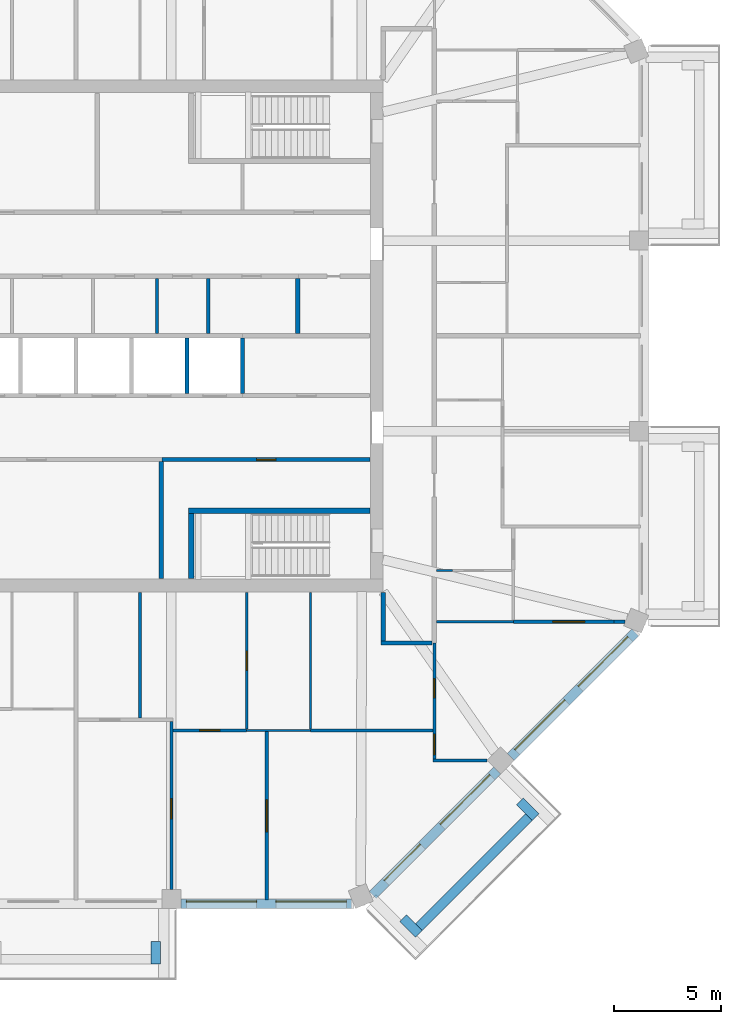
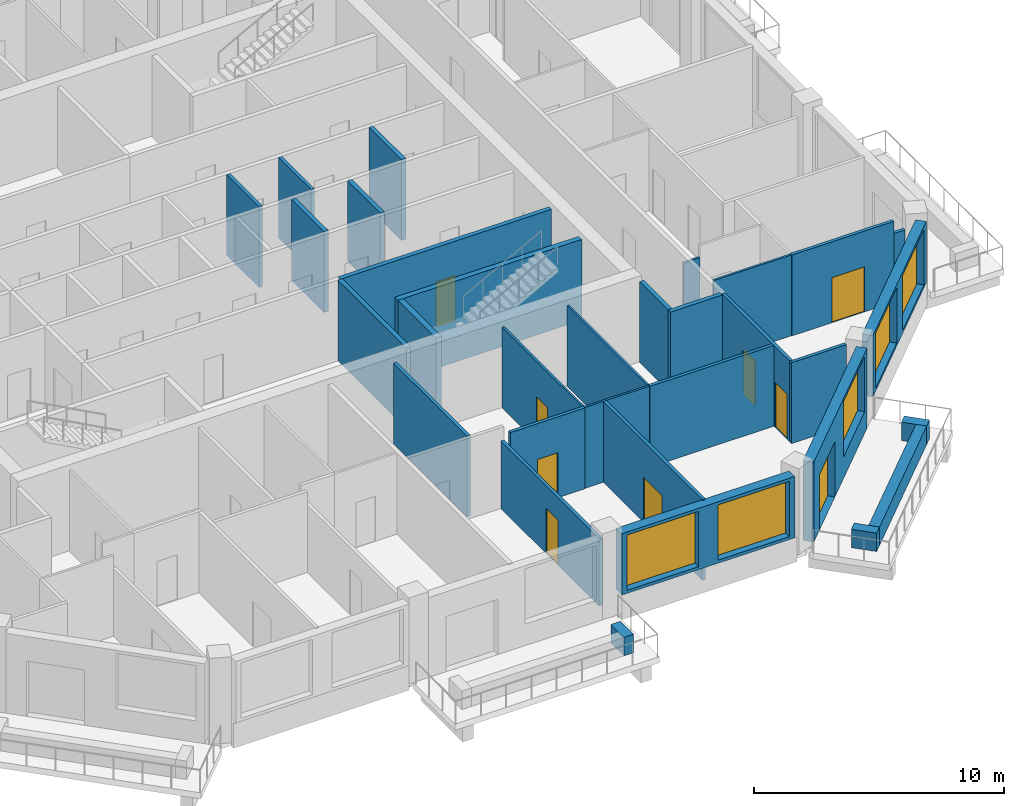
# One storey, part 5 of 12: 32 walls, 9 doors, 5 windows, 14 openings.
"""IFC4 building model written with IfcOpenShell, lengths in metres."""

from ifc_helpers import new_model, si_unit, direction, frame, frame_2d, origin, place, context, subcontext, project, spatial, rectangle, extrude, material, layer, layer_set, type_object, element, fill, save


model = new_model("IFC4")

# Units and contexts
model_context = context("Model", 3, precision=1e-05, world=origin(), true_north=direction((0.0, 1.0)))
body_context = subcontext(model_context, "Body", "Model", "MODEL_VIEW")
ifc_project = project(units=[si_unit("LENGTHUNIT", "METRE"), si_unit("AREAUNIT", "SQUARE_METRE"), si_unit("VOLUMEUNIT", "CUBIC_METRE"), si_unit("PLANEANGLEUNIT", "RADIAN"), si_unit("MASSUNIT", "GRAM", prefix="KILO")], contexts=[model_context])

# Site, building, storey
site_placement = place(None, origin())
site = spatial("IfcSite", under=ifc_project, at=site_placement, CompositionType="ELEMENT")
building_placement = place(site_placement, origin())
building = spatial("IfcBuilding", under=site, at=building_placement, Name="Msitu Wima Residences", CompositionType="ELEMENT")
storey_placement = place(building_placement, frame((0.0, 0.0, 276.89990234375)))
storey = spatial("IfcBuildingStorey", under=building, at=storey_placement, Name="L64", CompositionType="ELEMENT", Elevation=276.89990234375)

# Walls
ifc_material_1 = material(Name="Facing brick")
ifc_layer_1 = layer(ifc_material_1, 0.06494140625, Name="Facing brick")
ifc_material_2 = material(Name="Concrete C40/50", Category="concrete")
ifc_layer_2 = layer(ifc_material_2, 0.156005859375, Name="Concrete C40/50")
ifc_material_3 = material(Name="Waterproofing membrane")
ifc_layer_3 = layer(ifc_material_3, 0.00390625, Name="Waterproofing membrane")
ifc_material_4 = material(Name="Planting soil and planting")
ifc_layer_4 = layer(ifc_material_4, 0.22509765625, Name="Planting soil and planting")
ifc_layer_set_1 = layer_set([ifc_layer_1, ifc_layer_2, ifc_layer_3, ifc_layer_4], Name="Concrete C40/50")
wall_type_1 = type_object("IfcWallType", Name="Balcony planter PLANTER PL450", PredefinedType="USERDEFINED", material=ifc_layer_set_1)
wall_1_placement = place(storey_placement, frame((3.74365234375, -28.39990234375, 0.0), z_axis=(0.0, 0.0, 1.0), x_axis=(0.0, -1.0, 0.0)))
element("IfcWall", 1, at=wall_1_placement, inside=storey, type_object=wall_type_1, Name="Balcony planter S1 L64", ObjectType="PLANTER", PredefinedType="USERDEFINED", context=body_context, shape_type="SweptSolid", body=[
    extrude(rectangle(XDim=1.050048828125, YDim=0.449951171875, at=frame_2d((0.52490234375, 0.0))), origin(), (0.0, 0.0, 1.0), 0.900146484375),
])
wall_2_placement = place(storey_placement, frame((16.0751953125, -27.725830078125, 0.0), z_axis=(0.0, 0.0, 1.0), x_axis=(0.707106781187, 0.707106781187, 0.0)))
element("IfcWall", 2, at=wall_2_placement, inside=storey, type_object=wall_type_1, Name="Balcony planter SE0 L64", ObjectType="PLANTER", PredefinedType="USERDEFINED", context=body_context, shape_type="SweptSolid", body=[
    extrude(rectangle(XDim=7.288330078125, YDim=0.449951171875, at=frame_2d((3.64404296875, 0.0))), origin(), (0.0, 0.0, 1.0), 0.900146484375),
])
for number, where, z_axis, x_axis, name in (
    (3, (15.332763671875, -27.301513671875, 0.0), (0.0, 0.0, 1.0), (0.707106781187, -0.707106781187, 0.0), "Balcony planter SE0 L64"),
    (4, (20.804443359375, -21.829833984375, 0.0), (0.0, 0.0, 1.0), (0.707106781187, -0.707106781187, 0.0), "Balcony planter SE0 L64"),
):
    element("IfcWall", number, at=place(storey_placement, frame(where, z_axis=z_axis, x_axis=x_axis)), inside=storey, type_object=wall_type_1, Name=name, ObjectType="PLANTER", PredefinedType="USERDEFINED", context=body_context, shape_type="SweptSolid", body=[
        extrude(rectangle(XDim=1.050048828125, YDim=0.449951171875, at=frame_2d((0.52490234375, 0.0))), origin(), (0.0, 0.0, 1.0), 0.900146484375),
    ])

# Wall, openings, windows
ifc_material_5 = material(Name="Brick (red buff mix)", Category="masonry")
ifc_layer_5 = layer(ifc_material_5, 0.449951171875)
ifc_layer_set_2 = layer_set([ifc_layer_5], Name="Brick (red buff mix)")
wall_type_2 = type_object("IfcWallType", Name="Brick infill wall BW450", PredefinedType="SOLIDWALL", material=ifc_layer_set_2)
wall_3_placement = place(storey_placement, frame((4.918701171875, -26.625, 0.900146484375), z_axis=(0.0, 0.0, 1.0), x_axis=(1.0, 0.0, 0.0)))
wall_3 = element("IfcWall", 5, at=wall_3_placement, inside=storey, type_object=wall_type_2, Name="Brick infill wall L64 S2", PredefinedType="SOLIDWALL", context=body_context, shape_type="SweptSolid", body=[
    extrude(rectangle(XDim=8.0, YDim=0.449951171875, at=frame_2d((4.0, 0.0))), origin(), (0.0, 0.0, 1.0), 3.0),
])
opening_1_placement = place(wall_3_placement, frame((0.25, 0.0, 0.14990234375)))
opening_1 = element("IfcOpeningElement", 6, at=opening_1_placement, cuts=wall_3, Name="Opening W63-64.019", PredefinedType="OPENING", context=body_context, shape_type="SweptSolid", body=[
    extrude(rectangle(XDim=3.300048828125, YDim=2.699951171875, at=frame_2d((1.64990234375, 1.35009765625))), frame((0.0, 0.23486328125, 0.0), z_axis=(0.0, -1.0, 0.0), x_axis=(1.0, 0.0, 0.0)), (0.0, 0.0, 1.0), 0.469970703125),
])
opening_2_placement = place(wall_3_placement, frame((4.4501953125, 0.0, 0.14990234375)))
opening_2 = element("IfcOpeningElement", 7, at=opening_2_placement, cuts=wall_3, Name="Opening W63-64.020", PredefinedType="OPENING", context=body_context, shape_type="SweptSolid", body=[
    extrude(rectangle(XDim=3.300048828125, YDim=2.699951171875, at=frame_2d((1.64990234375, 1.35009765625))), frame((0.0, 0.23486328125, 0.0), z_axis=(0.0, -1.0, 0.0), x_axis=(1.0, 0.0, 0.0)), (0.0, 0.0, 1.0), 0.469970703125),
])
ifc_material_6 = material(Name="Anodised aluminium, bronze finish, clear low-emissivity double glazing", Category="aluminium")
window_type = type_object("IfcWindowType", Name="Window W3300x2700", PartitioningType="DOUBLE_PANEL_VERTICAL", PredefinedType="WINDOW", material=ifc_material_6)
window_1_placement = place(opening_1_placement, origin())
window_1 = element("IfcWindow", 8, at=window_1_placement, inside=storey, type_object=window_type, Name="Window L64 S2.1", OverallHeight=2.699951171875, OverallWidth=3.300048828125, PartitioningType="SINGLE_PANEL", PredefinedType="WINDOW", context=body_context, shape_type="SweptSolid", body=[
    extrude(rectangle(XDim=3.300048828125, YDim=2.699951171875, at=frame_2d((1.64990234375, 1.35009765625))), frame((0.0, 0.135009765625, 0.0), z_axis=(0.0, -1.0, 0.0), x_axis=(1.0, 0.0, 0.0)), (0.0, 0.0, 1.0), 0.06005859375),
])
fill(opening_1, window_1)
window_2_placement = place(opening_2_placement, origin())
window_2 = element("IfcWindow", 9, at=window_2_placement, inside=storey, type_object=window_type, Name="Window L64 S2.2", OverallHeight=2.699951171875, OverallWidth=3.300048828125, PartitioningType="SINGLE_PANEL", PredefinedType="WINDOW", context=body_context, shape_type="SweptSolid", body=[
    extrude(rectangle(XDim=3.300048828125, YDim=2.699951171875, at=frame_2d((1.64990234375, 1.35009765625))), frame((0.0, 0.135009765625, 0.0), z_axis=(0.0, -1.0, 0.0), x_axis=(1.0, 0.0, 0.0)), (0.0, 0.0, 1.0), 0.06005859375),
])
fill(opening_2, window_2)

# Wall, openings, door, window
wall_4_placement = place(storey_placement, frame((13.909423828125, -26.214599609375, 0.0), z_axis=(0.0, 0.0, 1.0), x_axis=(0.707106781187, 0.707106781187, 0.0)))
wall_4 = element("IfcWall", 10, at=wall_4_placement, inside=storey, type_object=wall_type_2, Name="Brick infill wall L64 SE0", PredefinedType="SOLIDWALL", context=body_context, shape_type="SweptSolid", body=[
    extrude(rectangle(XDim=8.251220703125, YDim=0.449951171875, at=frame_2d((4.12548828125, 0.0))), origin(), (0.0, 0.0, 1.0), 3.900146484375),
])
opening_3_placement = place(wall_4_placement, frame((0.86279296875, 0.0, 0.0)))
opening_3 = element("IfcOpeningElement", 11, at=opening_3_placement, cuts=wall_4, Name="Opening D63-64.007", PredefinedType="OPENING", context=body_context, shape_type="SweptSolid", body=[
    extrude(rectangle(XDim=2.39990234375, YDim=2.699951171875, at=frame_2d((1.199951171875, 1.35009765625))), frame((0.0, 0.23486328125, 0.0), z_axis=(0.0, -1.0, 0.0), x_axis=(1.0, 0.0, 0.0)), (0.0, 0.0, 1.0), 0.469970703125),
])
opening_4_placement = place(wall_4_placement, frame((4.57568359375, 0.0, 1.050048828125)))
opening_4 = element("IfcOpeningElement", 12, at=opening_4_placement, cuts=wall_4, Name="Opening W63-64.021", PredefinedType="OPENING", context=body_context, shape_type="SweptSolid", body=[
    extrude(rectangle(XDim=3.300048828125, YDim=2.699951171875, at=frame_2d((1.64990234375, 1.35009765625))), frame((0.0, 0.23486328125, 0.0), z_axis=(0.0, -1.0, 0.0), x_axis=(1.0, 0.0, 0.0)), (0.0, 0.0, 1.0), 0.469970703125),
])
door_type_1 = type_object("IfcDoorType", Name="Balcony door D2400x2700", OperationType="SLIDING_TO_LEFT", PredefinedType="DOOR", material=ifc_material_6)
door_1_placement = place(opening_3_placement, origin())
door_1 = element("IfcDoor", 13, at=door_1_placement, inside=storey, type_object=door_type_1, Name="Balcony door L64 SE0", OperationType="SINGLE_SWING_LEFT", OverallHeight=2.699951171875, OverallWidth=2.39990234375, PredefinedType="DOOR", context=body_context, shape_type="SweptSolid", body=[
    extrude(rectangle(XDim=2.39990234375, YDim=2.699951171875, at=frame_2d((1.199951171875, 1.35009765625))), frame((0.0, 0.1298828125, 0.0), z_axis=(0.0, -1.0, 0.0), x_axis=(1.0, 0.0, 0.0)), (0.0, 0.0, 1.0), 0.050048828125),
])
fill(opening_3, door_1)
window_3_placement = place(opening_4_placement, origin())
window_3 = element("IfcWindow", 14, at=window_3_placement, inside=storey, type_object=window_type, Name="Window L64 SE0.2", OverallHeight=2.699951171875, OverallWidth=3.300048828125, PartitioningType="SINGLE_PANEL", PredefinedType="WINDOW", context=body_context, shape_type="SweptSolid", body=[
    extrude(rectangle(XDim=3.300048828125, YDim=2.699951171875, at=frame_2d((1.64990234375, 1.35009765625))), frame((0.0, 0.135009765625, 0.0), z_axis=(0.0, -1.0, 0.0), x_axis=(1.0, 0.0, 0.0)), (0.0, 0.0, 1.0), 0.06005859375),
])
fill(opening_4, window_3)

# Wall, openings, windows
wall_5_placement = place(storey_placement, frame((20.380126953125, -19.743896484375, 0.900146484375), z_axis=(0.0, 0.0, 1.0), x_axis=(0.707106781187, 0.707106781187, 0.0)))
wall_5 = element("IfcWall", 15, at=wall_5_placement, inside=storey, type_object=wall_type_2, Name="Brick infill wall L64 SE1", PredefinedType="SOLIDWALL", context=body_context, shape_type="SweptSolid", body=[
    extrude(rectangle(XDim=8.251220703125, YDim=0.449951171875, at=frame_2d((4.12548828125, 0.0))), origin(), (0.0, 0.0, 1.0), 3.0),
])
opening_5_placement = place(wall_5_placement, frame((0.37548828125, 0.0, 0.14990234375)))
opening_5 = element("IfcOpeningElement", 16, at=opening_5_placement, cuts=wall_5, Name="Opening W63-64.022", PredefinedType="OPENING", context=body_context, shape_type="SweptSolid", body=[
    extrude(rectangle(XDim=3.300048828125, YDim=2.699951171875, at=frame_2d((1.64990234375, 1.35009765625))), frame((0.0, 0.23486328125, 0.0), z_axis=(0.0, -1.0, 0.0), x_axis=(1.0, 0.0, 0.0)), (0.0, 0.0, 1.0), 0.469970703125),
])
opening_6_placement = place(wall_5_placement, frame((4.57568359375, 0.0, 0.14990234375)))
opening_6 = element("IfcOpeningElement", 17, at=opening_6_placement, cuts=wall_5, Name="Opening W63-64.023", PredefinedType="OPENING", context=body_context, shape_type="SweptSolid", body=[
    extrude(rectangle(XDim=3.300048828125, YDim=2.699951171875, at=frame_2d((1.64990234375, 1.35009765625))), frame((0.0, 0.23486328125, 0.0), z_axis=(0.0, -1.0, 0.0), x_axis=(1.0, 0.0, 0.0)), (0.0, 0.0, 1.0), 0.469970703125),
])
window_4_placement = place(opening_5_placement, origin())
window_4 = element("IfcWindow", 18, at=window_4_placement, inside=storey, type_object=window_type, Name="Window L64 SE1.1", OverallHeight=2.699951171875, OverallWidth=3.300048828125, PartitioningType="SINGLE_PANEL", PredefinedType="WINDOW", context=body_context, shape_type="SweptSolid", body=[
    extrude(rectangle(XDim=3.300048828125, YDim=2.699951171875, at=frame_2d((1.64990234375, 1.35009765625))), frame((0.0, 0.135009765625, 0.0), z_axis=(0.0, -1.0, 0.0), x_axis=(1.0, 0.0, 0.0)), (0.0, 0.0, 1.0), 0.06005859375),
])
fill(opening_5, window_4)
window_5_placement = place(opening_6_placement, origin())
window_5 = element("IfcWindow", 19, at=window_5_placement, inside=storey, type_object=window_type, Name="Window L64 SE1.2", OverallHeight=2.699951171875, OverallWidth=3.300048828125, PartitioningType="SINGLE_PANEL", PredefinedType="WINDOW", context=body_context, shape_type="SweptSolid", body=[
    extrude(rectangle(XDim=3.300048828125, YDim=2.699951171875, at=frame_2d((1.64990234375, 1.35009765625))), frame((0.0, 0.135009765625, 0.0), z_axis=(0.0, -1.0, 0.0), x_axis=(1.0, 0.0, 0.0)), (0.0, 0.0, 1.0), 0.06005859375),
])
fill(opening_6, window_5)

# Wall, opening, door
ifc_material_7 = material(Name="Plaster")
ifc_layer_6 = layer(ifc_material_7, 0.011962890625, Name="Plaster")
ifc_material_8 = material(Name="Concrete blockwork", Category="masonry")
ifc_layer_7 = layer(ifc_material_8, 0.176025390625, Name="Concrete blockwork")
ifc_layer_8 = layer(ifc_material_7, 0.011962890625, Name="Plaster")
ifc_layer_set_3 = layer_set([ifc_layer_6, ifc_layer_7, ifc_layer_8], Name="Concrete blockwork")
wall_type_3 = type_object("IfcWallType", Name="Corridor wall FW200", PredefinedType="PARTITIONING", material=ifc_layer_set_3)
wall_6_placement = place(storey_placement, frame((4.02001953125, -5.800048828125, 0.0), z_axis=(0.0, 0.0, 1.0), x_axis=(1.0, 0.0, 0.0)))
wall_6 = element("IfcWall", 20, at=wall_6_placement, inside=storey, type_object=wall_type_3, Name="Corridor wall", PredefinedType="PARTITIONING", context=body_context, shape_type="SweptSolid", body=[
    extrude(rectangle(XDim=9.75, YDim=0.199951171875, at=frame_2d((4.875, 0.0))), origin(), (0.0, 0.0, 1.0), 3.9501953125),
])
opening_7_placement = place(wall_6_placement, frame((4.449951171875, 0.0, 0.0)))
opening_7 = element("IfcOpeningElement", 21, at=opening_7_placement, cuts=wall_6, Name="Opening D63-64.076", PredefinedType="OPENING", context=body_context, shape_type="SweptSolid", body=[
    extrude(rectangle(XDim=0.89990234375, YDim=2.199951171875, at=frame_2d((0.449951171875, 1.10009765625))), frame((0.0, 0.10986328125, 0.0), z_axis=(0.0, -1.0, 0.0), x_axis=(1.0, 0.0, 0.0)), (0.0, 0.0, 1.0), 0.219970703125),
])
ifc_material_9 = material(Name="Timber flush door", Category="wood")
door_type_2 = type_object("IfcDoorType", Name="Service door D05 900x2200", OperationType="SINGLE_SWING_LEFT", PredefinedType="DOOR", material=ifc_material_9)
door_2_placement = place(opening_7_placement, origin())
door_2 = element("IfcDoor", 22, at=door_2_placement, inside=storey, type_object=door_type_2, Name="Service door", OperationType="SINGLE_SWING_LEFT", OverallHeight=2.199951171875, OverallWidth=0.89990234375, PredefinedType="DOOR", context=body_context, shape_type="SweptSolid", body=[
    extrude(rectangle(XDim=0.89990234375, YDim=2.199951171875, at=frame_2d((0.449951171875, 1.10009765625))), frame((0.0, 0.02490234375, 0.0), z_axis=(0.0, -1.0, 0.0), x_axis=(1.0, 0.0, 0.0)), (0.0, 0.0, 1.0), 0.050048828125),
])
fill(opening_7, door_2)

# Walls
wall_7_placement = place(storey_placement, frame((14.39990234375, -14.300048828125, 0.0), z_axis=(0.0, 0.0, 1.0), x_axis=(0.0, 1.0, 0.0)))
element("IfcWall", 23, at=wall_7_placement, inside=storey, type_object=wall_type_3, Name="Corridor wall", PredefinedType="PARTITIONING", context=body_context, shape_type="SweptSolid", body=[
    extrude(rectangle(XDim=2.27001953125, YDim=0.199951171875, at=frame_2d((1.135009765625, 0.0))), origin(), (0.0, 0.0, 1.0), 3.9501953125),
])
wall_8_placement = place(storey_placement, frame((14.300048828125, -14.39990234375, 0.0), z_axis=(0.0, 0.0, 1.0), x_axis=(1.0, 0.0, 0.0)))
element("IfcWall", 24, at=wall_8_placement, inside=storey, type_object=wall_type_3, Name="Corridor wall", PredefinedType="PARTITIONING", context=body_context, shape_type="SweptSolid", body=[
    extrude(rectangle(XDim=2.39990234375, YDim=0.199951171875, at=frame_2d((1.199951171875, 0.0))), origin(), (0.0, 0.0, 1.0), 3.9501953125),
])
ifc_layer_9 = layer(ifc_material_7, 0.011962890625, Name="Plaster")
ifc_layer_10 = layer(ifc_material_8, 0.1259765625, Name="Concrete blockwork")
ifc_layer_11 = layer(ifc_material_7, 0.011962890625, Name="Plaster")
ifc_layer_set_4 = layer_set([ifc_layer_9, ifc_layer_10, ifc_layer_11], Name="Concrete blockwork")
wall_type_4 = type_object("IfcWallType", Name="Partition PW150", PredefinedType="PARTITIONING", material=ifc_layer_set_4)
wall_9_placement = place(storey_placement, frame((3.0, -17.925048828125, 0.0), z_axis=(0.0, 0.0, 1.0), x_axis=(0.0, 1.0, 0.0)))
element("IfcWall", 25, at=wall_9_placement, inside=storey, type_object=wall_type_4, Name="Partition", PredefinedType="PARTITIONING", context=body_context, shape_type="SweptSolid", body=[
    extrude(rectangle(XDim=5.89501953125, YDim=0.14990234375, at=frame_2d((2.947509765625, 0.0))), origin(), (0.0, 0.0, 1.0), 3.9501953125),
])
wall_10_placement = place(storey_placement, frame((3.800048828125, 0.10009765625, 0.0), z_axis=(0.0, 0.0, 1.0), x_axis=(0.0, 1.0, 0.0)))
element("IfcWall", 26, at=wall_10_placement, inside=storey, type_object=wall_type_4, Name="Partition", PredefinedType="PARTITIONING", context=body_context, shape_type="SweptSolid", body=[
    extrude(rectangle(XDim=2.599853515625, YDim=0.14990234375, at=frame_2d((1.2998046875, 0.0))), origin(), (0.0, 0.0, 1.0), 3.9501953125),
])

# Wall, opening, door
wall_11_placement = place(storey_placement, frame((4.46875, -25.949951171875, 0.0), z_axis=(0.0, 0.0, 1.0), x_axis=(0.0, 1.0, 0.0)))
wall_11 = element("IfcWall", 27, at=wall_11_placement, inside=storey, type_object=wall_type_4, Name="Partition", PredefinedType="PARTITIONING", context=body_context, shape_type="SweptSolid", body=[
    extrude(rectangle(XDim=7.875, YDim=0.14990234375, at=frame_2d((3.9375, 0.0))), origin(), (0.0, 0.0, 1.0), 3.300048828125),
])
opening_8_placement = place(wall_11_placement, frame((3.300048828125, 0.0, 0.0)))
opening_8 = element("IfcOpeningElement", 28, at=opening_8_placement, cuts=wall_11, Name="Opening D63-64.057", PredefinedType="OPENING", context=body_context, shape_type="SweptSolid", body=[
    extrude(rectangle(XDim=0.949951171875, YDim=2.199951171875, at=frame_2d((0.47509765625, 1.10009765625))), frame((0.0, 0.0849609375, 0.0), z_axis=(0.0, -1.0, 0.0), x_axis=(1.0, 0.0, 0.0)), (0.0, 0.0, 1.0), 0.169921875),
])
door_type_3 = type_object("IfcDoorType", Name="Room door D12 950x2200", OperationType="SINGLE_SWING_LEFT", PredefinedType="DOOR", material=ifc_material_9)
door_3_placement = place(opening_8_placement, origin())
door_3 = element("IfcDoor", 29, at=door_3_placement, inside=storey, type_object=door_type_3, Name="Room door", OperationType="SINGLE_SWING_LEFT", OverallHeight=2.199951171875, OverallWidth=0.949951171875, PredefinedType="DOOR", context=body_context, shape_type="SweptSolid", body=[
    extrude(rectangle(XDim=0.949951171875, YDim=2.199951171875, at=frame_2d((0.47509765625, 1.10009765625))), frame((0.0, 0.02490234375, 0.0), z_axis=(0.0, -1.0, 0.0), x_axis=(1.0, 0.0, 0.0)), (0.0, 0.0, 1.0), 0.050048828125),
])
fill(opening_8, door_3)

wall_12_placement = place(storey_placement, frame((4.543701171875, -18.5, 0.0), z_axis=(0.0, 0.0, 1.0), x_axis=(1.0, 0.0, 0.0)))
wall_12 = element("IfcWall", 30, at=wall_12_placement, inside=storey, type_object=wall_type_4, Name="Partition", PredefinedType="PARTITIONING", context=body_context, shape_type="SweptSolid", body=[
    extrude(rectangle(XDim=3.456298828125, YDim=0.14990234375, at=frame_2d((1.72802734375, 0.0))), origin(), (0.0, 0.0, 1.0), 3.9501953125),
])
opening_9_placement = place(wall_12_placement, frame((1.25, 0.0, 0.0)))
opening_9 = element("IfcOpeningElement", 31, at=opening_9_placement, cuts=wall_12, Name="Opening D63-64.055", PredefinedType="OPENING", context=body_context, shape_type="SweptSolid", body=[
    extrude(rectangle(XDim=0.949951171875, YDim=2.199951171875, at=frame_2d((0.47509765625, 1.10009765625))), frame((0.0, 0.0849609375, 0.0), z_axis=(0.0, -1.0, 0.0), x_axis=(1.0, 0.0, 0.0)), (0.0, 0.0, 1.0), 0.169921875),
])
door_4_placement = place(opening_9_placement, origin())
door_4 = element("IfcDoor", 32, at=door_4_placement, inside=storey, type_object=door_type_3, Name="Room door", OperationType="SINGLE_SWING_RIGHT", OverallHeight=2.199951171875, OverallWidth=0.949951171875, PredefinedType="DOOR", context=body_context, shape_type="SweptSolid", body=[
    extrude(rectangle(XDim=0.949951171875, YDim=2.199951171875, at=frame_2d((0.47509765625, 1.10009765625))), frame((0.0, 0.02490234375, 0.0), z_axis=(0.0, -1.0, 0.0), x_axis=(1.0, 0.0, 0.0)), (0.0, 0.0, 1.0), 0.050048828125),
])
fill(opening_9, door_4)

# Wall
wall_13_placement = place(storey_placement, frame((6.199951171875, 0.10009765625, 0.0), z_axis=(0.0, 0.0, 1.0), x_axis=(0.0, 1.0, 0.0)))
element("IfcWall", 33, at=wall_13_placement, inside=storey, type_object=wall_type_4, Name="Partition", PredefinedType="PARTITIONING", context=body_context, shape_type="SweptSolid", body=[
    extrude(rectangle(XDim=2.599853515625, YDim=0.14990234375, at=frame_2d((1.2998046875, 0.0))), origin(), (0.0, 0.0, 1.0), 3.9501953125),
])

# Wall, opening, door
wall_14_placement = place(storey_placement, frame((8.937255859375, -26.455078125, 0.0), z_axis=(0.0, 0.0, 1.0), x_axis=(0.0, 1.0, 0.0)))
wall_14 = element("IfcWall", 34, at=wall_14_placement, inside=storey, type_object=wall_type_4, Name="Partition", PredefinedType="PARTITIONING", context=body_context, shape_type="SweptSolid", body=[
    extrude(rectangle(XDim=7.905029296875, YDim=0.14990234375, at=frame_2d((3.95263671875, 0.0))), origin(), (0.0, 0.0, 1.0), 3.9501953125),
])
opening_10_placement = place(wall_14_placement, frame((3.199951171875, 0.0, 0.0)))
opening_10 = element("IfcOpeningElement", 35, at=opening_10_placement, cuts=wall_14, Name="Opening D63-64.066", PredefinedType="OPENING", context=body_context, shape_type="SweptSolid", body=[
    extrude(rectangle(XDim=1.5, YDim=2.199951171875, at=frame_2d((0.75, 1.10009765625))), frame((0.0, 0.0849609375, 0.0), z_axis=(0.0, -1.0, 0.0), x_axis=(1.0, 0.0, 0.0)), (0.0, 0.0, 1.0), 0.169921875),
])
ifc_material_10 = material(Name="Timber double door", Category="wood")
door_type_4 = type_object("IfcDoorType", Name="Double door D04 1500x2200", OperationType="DOUBLE_DOOR_SINGLE_SWING", PredefinedType="DOOR", material=ifc_material_10)
door_5_placement = place(opening_10_placement, origin())
door_5 = element("IfcDoor", 36, at=door_5_placement, inside=storey, type_object=door_type_4, Name="Double door", OperationType="DOUBLE_DOOR_SINGLE_SWING", OverallHeight=2.199951171875, OverallWidth=1.5, PredefinedType="DOOR", context=body_context, shape_type="SweptSolid", body=[
    extrude(rectangle(XDim=1.5, YDim=2.199951171875, at=frame_2d((0.75, 1.10009765625))), frame((0.0, 0.02490234375, 0.0), z_axis=(0.0, -1.0, 0.0), x_axis=(1.0, 0.0, 0.0)), (0.0, 0.0, 1.0), 0.050048828125),
])
fill(opening_10, door_5)

# Wall
wall_15_placement = place(storey_placement, frame((11.0, -18.5, 0.0), z_axis=(0.0, 0.0, 1.0), x_axis=(1.0, 0.0, 0.0)))
element("IfcWall", 37, at=wall_15_placement, inside=storey, type_object=wall_type_4, Name="Partition", PredefinedType="PARTITIONING", context=body_context, shape_type="SweptSolid", body=[
    extrude(rectangle(XDim=5.72509765625, YDim=0.14990234375, at=frame_2d((2.862548828125, 0.0))), origin(), (0.0, 0.0, 1.0), 3.9501953125),
])

# Wall, openings, doors
wall_16_placement = place(storey_placement, frame((16.800048828125, -19.827880859375, 0.0), z_axis=(0.0, 0.0, 1.0), x_axis=(0.0, 1.0, 0.0)))
wall_16 = element("IfcWall", 38, at=wall_16_placement, inside=storey, type_object=wall_type_4, Name="Partition", PredefinedType="PARTITIONING", context=body_context, shape_type="SweptSolid", body=[
    extrude(rectangle(XDim=5.427978515625, YDim=0.14990234375, at=frame_2d((2.7138671875, 0.0))), origin(), (0.0, 0.0, 1.0), 3.9501953125),
])
opening_11_placement = place(wall_16_placement, frame((2.85009765625, 0.0, 0.0)))
opening_11 = element("IfcOpeningElement", 39, at=opening_11_placement, cuts=wall_16, Name="Opening D63-64.064", PredefinedType="OPENING", context=body_context, shape_type="SweptSolid", body=[
    extrude(rectangle(XDim=0.89990234375, YDim=2.199951171875, at=frame_2d((0.449951171875, 1.10009765625))), frame((0.0, 0.0849609375, 0.0), z_axis=(0.0, -1.0, 0.0), x_axis=(1.0, 0.0, 0.0)), (0.0, 0.0, 1.0), 0.169921875),
])
opening_12_placement = place(wall_16_placement, frame((0.199951171875, 0.0, 0.0)))
opening_12 = element("IfcOpeningElement", 40, at=opening_12_placement, cuts=wall_16, Name="Opening D63-64.065", PredefinedType="OPENING", context=body_context, shape_type="SweptSolid", body=[
    extrude(rectangle(XDim=0.949951171875, YDim=2.199951171875, at=frame_2d((0.47509765625, 1.10009765625))), frame((0.0, 0.0849609375, 0.0), z_axis=(0.0, -1.0, 0.0), x_axis=(1.0, 0.0, 0.0)), (0.0, 0.0, 1.0), 0.169921875),
])
door_6_placement = place(opening_12_placement, origin())
door_6 = element("IfcDoor", 41, at=door_6_placement, inside=storey, type_object=door_type_3, Name="Room door", OperationType="SINGLE_SWING_RIGHT", OverallHeight=2.199951171875, OverallWidth=0.949951171875, PredefinedType="DOOR", context=body_context, shape_type="SweptSolid", body=[
    extrude(rectangle(XDim=0.949951171875, YDim=2.199951171875, at=frame_2d((0.47509765625, 1.10009765625))), frame((0.0, 0.02490234375, 0.0), z_axis=(0.0, -1.0, 0.0), x_axis=(1.0, 0.0, 0.0)), (0.0, 0.0, 1.0), 0.050048828125),
])
fill(opening_12, door_6)
door_7_placement = place(opening_11_placement, origin())
door_7 = element("IfcDoor", 42, at=door_7_placement, inside=storey, type_object=door_type_2, Name="Service door", OperationType="SINGLE_SWING_LEFT", OverallHeight=2.199951171875, OverallWidth=0.89990234375, PredefinedType="DOOR", context=body_context, shape_type="SweptSolid", body=[
    extrude(rectangle(XDim=0.89990234375, YDim=2.199951171875, at=frame_2d((0.449951171875, 1.10009765625))), frame((0.0, 0.02490234375, 0.0), z_axis=(0.0, -1.0, 0.0), x_axis=(1.0, 0.0, 0.0)), (0.0, 0.0, 1.0), 0.050048828125),
])
fill(opening_11, door_7)

# Wall
wall_17_placement = place(storey_placement, frame((16.72509765625, -19.90283203125, 0.0), z_axis=(0.0, 0.0, 1.0), x_axis=(1.0, 0.0, 0.0)))
element("IfcWall", 43, at=wall_17_placement, inside=storey, type_object=wall_type_4, Name="Partition", PredefinedType="PARTITIONING", context=body_context, shape_type="SweptSolid", body=[
    extrude(rectangle(XDim=2.54150390625, YDim=0.14990234375, at=frame_2d((1.270751953125, 0.0))), origin(), (0.0, 0.0, 1.0), 3.9501953125),
])

# Wall, opening, door
wall_18_placement = place(storey_placement, frame((20.5, -13.406005859375, 0.0), z_axis=(0.0, 0.0, 1.0), x_axis=(1.0, 0.0, 0.0)))
wall_18 = element("IfcWall", 44, at=wall_18_placement, inside=storey, type_object=wall_type_4, Name="Partition", PredefinedType="PARTITIONING", context=body_context, shape_type="SweptSolid", body=[
    extrude(rectangle(XDim=4.72412109375, YDim=0.14990234375, at=frame_2d((2.362060546875, 0.0))), origin(), (0.0, 0.0, 1.0), 3.9501953125),
])
opening_13_placement = place(wall_18_placement, frame((1.85009765625, 0.0, 0.0)))
opening_13 = element("IfcOpeningElement", 45, at=opening_13_placement, cuts=wall_18, Name="Opening D63-64.063", PredefinedType="OPENING", context=body_context, shape_type="SweptSolid", body=[
    extrude(rectangle(XDim=1.5, YDim=2.199951171875, at=frame_2d((0.75, 1.10009765625))), frame((0.0, 0.0849609375, 0.0), z_axis=(0.0, -1.0, 0.0), x_axis=(1.0, 0.0, 0.0)), (0.0, 0.0, 1.0), 0.169921875),
])
door_8_placement = place(opening_13_placement, origin())
door_8 = element("IfcDoor", 46, at=door_8_placement, inside=storey, type_object=door_type_4, Name="Double door", OperationType="DOUBLE_DOOR_SINGLE_SWING", OverallHeight=2.199951171875, OverallWidth=1.5, PredefinedType="DOOR", context=body_context, shape_type="SweptSolid", body=[
    extrude(rectangle(XDim=1.5, YDim=2.199951171875, at=frame_2d((0.75, 1.10009765625))), frame((0.0, 0.02490234375, 0.0), z_axis=(0.0, -1.0, 0.0), x_axis=(1.0, 0.0, 0.0)), (0.0, 0.0, 1.0), 0.050048828125),
])
fill(opening_13, door_8)

# Walls
wall_19_placement = place(storey_placement, frame((25.22412109375, -13.406005859375, 0.0), z_axis=(0.0, 0.0, 1.0), x_axis=(1.0, 0.0, 0.0)))
element("IfcWall", 47, at=wall_19_placement, inside=storey, type_object=wall_type_4, Name="Partition", PredefinedType="PARTITIONING", context=body_context, shape_type="SweptSolid", body=[
    extrude(rectangle(XDim=0.507080078125, YDim=0.14990234375, at=frame_2d((0.25341796875, 0.0))), origin(), (0.0, 0.0, 1.0), 3.35009765625),
])
ifc_layer_12 = layer(ifc_material_7, 0.011962890625, Name="Plaster")
ifc_material_11 = material(Name="Reinforced concrete blockwork", Category="masonry")
ifc_layer_13 = layer(ifc_material_11, 0.176025390625, Name="Reinforced concrete blockwork")
ifc_layer_14 = layer(ifc_material_7, 0.011962890625, Name="Plaster")
ifc_layer_set_5 = layer_set([ifc_layer_12, ifc_layer_13, ifc_layer_14], Name="Reinforced concrete blockwork")
wall_type_5 = type_object("IfcWallType", Name="Plant and riser wall PL200", PredefinedType="PARTITIONING", material=ifc_layer_set_5)
wall_20_placement = place(storey_placement, frame((4.0, -11.3701171875, 0.0), z_axis=(0.0, 0.0, 1.0), x_axis=(0.0, 1.0, 0.0)))
element("IfcWall", 48, at=wall_20_placement, inside=storey, type_object=wall_type_5, Name="Plant and riser wall", PredefinedType="PARTITIONING", context=body_context, shape_type="SweptSolid", body=[
    extrude(rectangle(XDim=5.47021484375, YDim=0.199951171875, at=frame_2d((2.735107421875, 0.0))), origin(), (0.0, 0.0, 1.0), 3.9501953125),
])
wall_21_placement = place(storey_placement, frame((10.39990234375, 0.10009765625, 0.0), z_axis=(0.0, 0.0, 1.0), x_axis=(0.0, 1.0, 0.0)))
element("IfcWall", 49, at=wall_21_placement, inside=storey, type_object=wall_type_5, Name="Plant and riser wall", PredefinedType="PARTITIONING", context=body_context, shape_type="SweptSolid", body=[
    extrude(rectangle(XDim=2.599853515625, YDim=0.199951171875, at=frame_2d((1.2998046875, 0.0))), origin(), (0.0, 0.0, 1.0), 3.9501953125),
])
ifc_material_12 = material(Name="Fire-rated board")
ifc_layer_15 = layer(ifc_material_12, 0.02490234375, Name="Fire-rated board")
ifc_material_13 = material(Name="Light-gauge stud framing with mineral wool")
ifc_layer_16 = layer(ifc_material_13, 0.14990234375, Name="Light-gauge stud framing with mineral wool")
ifc_layer_17 = layer(ifc_material_12, 0.02490234375, Name="Fire-rated board")
ifc_layer_set_6 = layer_set([ifc_layer_15, ifc_layer_16, ifc_layer_17], Name="Light-gauge stud framing with mineral wool")
wall_type_6 = type_object("IfcWallType", Name="Shaft wall SH200", PredefinedType="PARTITIONING", material=ifc_layer_set_6)
for number, where, z_axis, x_axis, name in (
    (50, (5.199951171875, -2.699951171875, 0.0), (0.0, 0.0, 1.0), (0.0, 1.0, 0.0), "Shaft wall"),
    (51, (7.800048828125, -2.699951171875, 0.0), (0.0, 0.0, 1.0), (0.0, 1.0, 0.0), "Shaft wall"),
):
    element("IfcWall", number, at=place(storey_placement, frame(where, z_axis=z_axis, x_axis=x_axis)), inside=storey, type_object=wall_type_6, Name=name, PredefinedType="PARTITIONING", context=body_context, shape_type="SweptSolid", body=[
        extrude(rectangle(XDim=2.599853515625, YDim=0.199951171875, at=frame_2d((1.2998046875, 0.0))), origin(), (0.0, 0.0, 1.0), 3.9501953125),
    ])
ifc_material_14 = material(Name="Concrete C50/60", Category="concrete")
ifc_layer_18 = layer(ifc_material_14, 0.25)
ifc_layer_set_7 = layer_set([ifc_layer_18], Name="Concrete C50/60")
wall_type_7 = type_object("IfcWallType", Name="Stair enclosure wall SW250", PredefinedType="SHEAR", material=ifc_layer_set_7)
wall_22_placement = place(storey_placement, frame((5.39990234375, -11.3701171875, 0.0), z_axis=(0.0, 0.0, 1.0), x_axis=(0.0, 1.0, 0.0)))
element("IfcWall", 52, at=wall_22_placement, inside=storey, type_object=wall_type_7, Name="Stair enclosure wall", PredefinedType="SHEAR", context=body_context, shape_type="SweptSolid", body=[
    extrude(rectangle(XDim=3.045166015625, YDim=0.25, at=frame_2d((1.5224609375, 0.0))), origin(), (0.0, 0.0, 1.0), 3.9501953125),
])
wall_23_placement = place(storey_placement, frame((5.27490234375, -8.199951171875, 0.0), z_axis=(0.0, 0.0, 1.0), x_axis=(1.0, 0.0, 0.0)))
element("IfcWall", 53, at=wall_23_placement, inside=storey, type_object=wall_type_7, Name="Stair enclosure wall", PredefinedType="SHEAR", context=body_context, shape_type="SweptSolid", body=[
    extrude(rectangle(XDim=8.4951171875, YDim=0.25, at=frame_2d((4.24755859375, 0.0))), origin(), (0.0, 0.0, 1.0), 3.9501953125),
])
ifc_material_15 = material(Name="Ceramic tiles")
ifc_layer_19 = layer(ifc_material_15, 0.008056640625, Name="Ceramic tiles")
ifc_material_16 = material(Name="Moisture-resistant board")
ifc_layer_20 = layer(ifc_material_16, 0.012451171875, Name="Moisture-resistant board")
ifc_layer_21 = layer(ifc_material_13, 0.06689453125, Name="Light-gauge stud framing with mineral wool")
ifc_layer_22 = layer(ifc_material_16, 0.012451171875, Name="Moisture-resistant board")
ifc_layer_set_8 = layer_set([ifc_layer_19, ifc_layer_20, ifc_layer_21, ifc_layer_22], Name="Light-gauge stud framing with mineral wool")
wall_type_8 = type_object("IfcWallType", Name="Wet wall PW100", PredefinedType="PARTITIONING", material=ifc_layer_set_8)
wall_24_placement = place(storey_placement, frame((8.0, -18.5, 0.0), z_axis=(0.0, 0.0, 1.0), x_axis=(1.0, 0.0, 0.0)))
element("IfcWall", 54, at=wall_24_placement, inside=storey, type_object=wall_type_8, Name="Wet wall", PredefinedType="PARTITIONING", context=body_context, shape_type="SweptSolid", body=[
    extrude(rectangle(XDim=3.0, YDim=0.10009765625, at=frame_2d((1.5, 0.0))), origin(), (0.0, 0.0, 1.0), 3.9501953125),
])

# Wall, opening, door
wall_25_placement = place(storey_placement, frame((8.0, -18.425048828125, 0.0), z_axis=(0.0, 0.0, 1.0), x_axis=(0.0, 1.0, 0.0)))
wall_25 = element("IfcWall", 55, at=wall_25_placement, inside=storey, type_object=wall_type_8, Name="Wet wall", PredefinedType="PARTITIONING", context=body_context, shape_type="SweptSolid", body=[
    extrude(rectangle(XDim=6.39501953125, YDim=0.10009765625, at=frame_2d((3.197509765625, 0.0))), origin(), (0.0, 0.0, 1.0), 3.9501953125),
])
opening_14_placement = place(wall_25_placement, frame((2.75, 0.0, 0.0)))
opening_14 = element("IfcOpeningElement", 56, at=opening_14_placement, cuts=wall_25, Name="Opening D63-64.056", PredefinedType="OPENING", context=body_context, shape_type="SweptSolid", body=[
    extrude(rectangle(XDim=0.89990234375, YDim=2.199951171875, at=frame_2d((0.449951171875, 1.10009765625))), frame((0.0, 0.06005859375, 0.0), z_axis=(0.0, -1.0, 0.0), x_axis=(1.0, 0.0, 0.0)), (0.0, 0.0, 1.0), 0.1201171875),
])
door_9_placement = place(opening_14_placement, origin())
door_9 = element("IfcDoor", 57, at=door_9_placement, inside=storey, type_object=door_type_2, Name="Service door", OperationType="SINGLE_SWING_LEFT", OverallHeight=2.199951171875, OverallWidth=0.89990234375, PredefinedType="DOOR", context=body_context, shape_type="SweptSolid", body=[
    extrude(rectangle(XDim=0.89990234375, YDim=2.199951171875, at=frame_2d((0.449951171875, 1.10009765625))), frame((0.0, 0.02490234375, 0.0), z_axis=(0.0, -1.0, 0.0), x_axis=(1.0, 0.0, 0.0)), (0.0, 0.0, 1.0), 0.050048828125),
])
fill(opening_14, door_9)

# Walls
wall_26_placement = place(storey_placement, frame((11.0, -18.425048828125, 0.0), z_axis=(0.0, 0.0, 1.0), x_axis=(0.0, 1.0, 0.0)))
element("IfcWall", 58, at=wall_26_placement, inside=storey, type_object=wall_type_8, Name="Wet wall", PredefinedType="PARTITIONING", context=body_context, shape_type="SweptSolid", body=[
    extrude(rectangle(XDim=6.39501953125, YDim=0.10009765625, at=frame_2d((3.197509765625, 0.0))), origin(), (0.0, 0.0, 1.0), 3.9501953125),
])
wall_27_placement = place(storey_placement, frame((16.89990234375, -13.406005859375, 0.0), z_axis=(0.0, 0.0, 1.0), x_axis=(1.0, 0.0, 0.0)))
element("IfcWall", 59, at=wall_27_placement, inside=storey, type_object=wall_type_8, Name="Wet wall", PredefinedType="PARTITIONING", context=body_context, shape_type="SweptSolid", body=[
    extrude(rectangle(XDim=3.60009765625, YDim=0.10009765625, at=frame_2d((1.800048828125, 0.0))), origin(), (0.0, 0.0, 1.0), 3.9501953125),
])
wall_28_placement = place(storey_placement, frame((16.89990234375, -11.0, 0.0), z_axis=(0.0, 0.0, 1.0), x_axis=(1.0, 0.0, 0.0)))
element("IfcWall", 60, at=wall_28_placement, inside=storey, type_object=wall_type_8, Name="Wet wall", PredefinedType="PARTITIONING", context=body_context, shape_type="SweptSolid", body=[
    extrude(rectangle(XDim=0.75390625, YDim=0.10009765625, at=frame_2d((0.376953125, 0.0))), origin(), (0.0, 0.0, 1.0), 3.35009765625),
])

save(model, "model.ifc")
